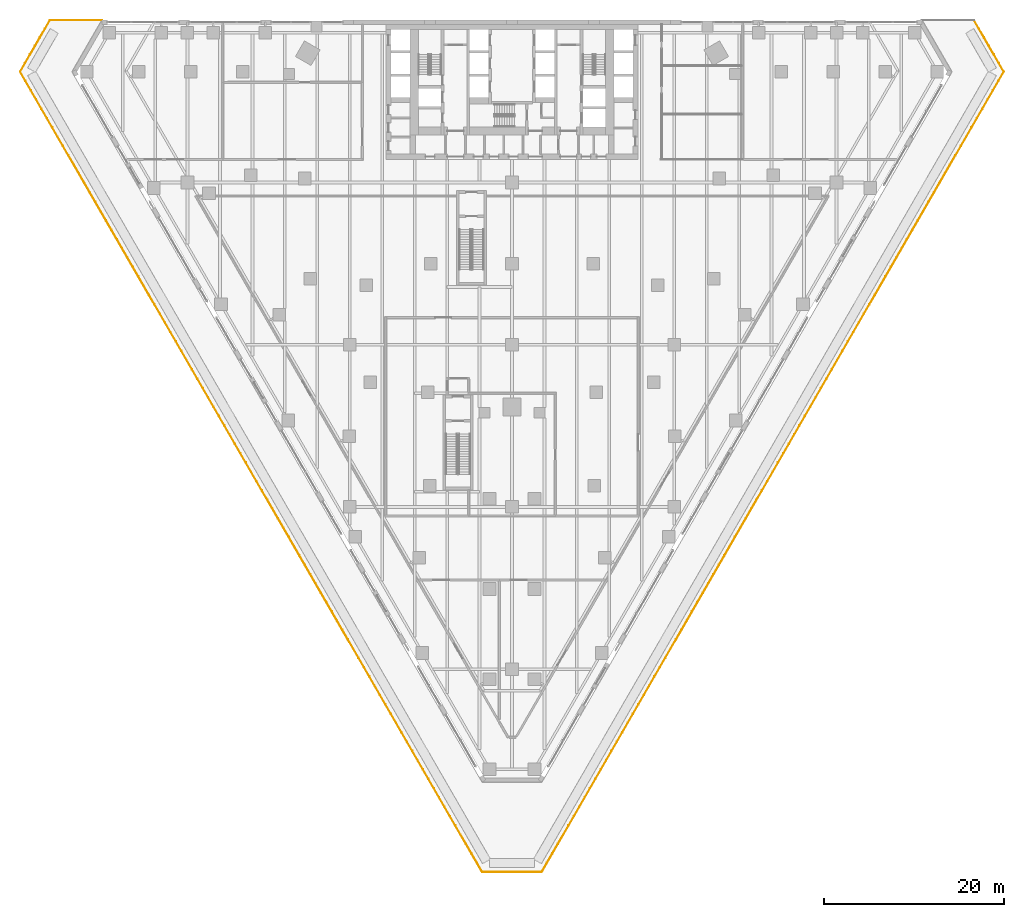
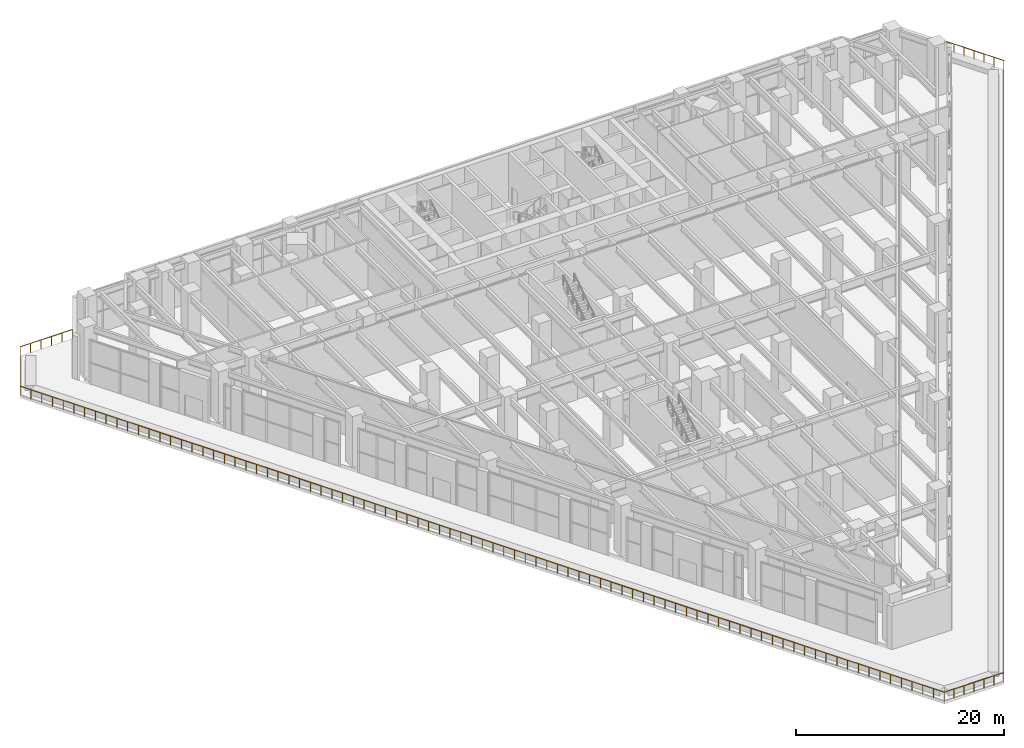
# One storey, part 36 of 40: 1 railing.
"""IFC4 building model written with IfcOpenShell, lengths in metres."""

from ifc_helpers import new_model, si_unit, direction, frame, origin, origin_2d, place, context, subcontext, project, spatial, circle, extrude, material, type_object, element, save


model = new_model("IFC4")

# Units and contexts
model_context = context("Model", 3, precision=1e-05, world=origin(), true_north=direction((0.0, 1.0)))
body_context = subcontext(model_context, "Body", "Model", "MODEL_VIEW")
ifc_project = project(units=[si_unit("LENGTHUNIT", "METRE"), si_unit("AREAUNIT", "SQUARE_METRE"), si_unit("VOLUMEUNIT", "CUBIC_METRE"), si_unit("PLANEANGLEUNIT", "RADIAN"), si_unit("MASSUNIT", "GRAM", prefix="KILO")], contexts=[model_context])

# Site, building, storey
site_placement = place(None, origin())
site = spatial("IfcSite", under=ifc_project, at=site_placement, CompositionType="ELEMENT")
building_placement = place(site_placement, origin())
building = spatial("IfcBuilding", under=site, at=building_placement, Name="Aloe Facet Convention Tower", CompositionType="ELEMENT")
storey_placement = place(building_placement, frame((0.0, 0.0, 13.5)))
storey = spatial("IfcBuildingStorey", under=building, at=storey_placement, Name="L02", CompositionType="ELEMENT", Elevation=13.5)

# Railing
ifc_material = material(Name="Steel S355, bronze oxide finish", Category="steel")
railing_type = type_object("IfcRailingType", Name="EV-GUARD-TERR", PredefinedType="GUARDRAIL", material=ifc_material)
railing_placement = place(storey_placement, frame((131.267578125, 135.0, 0.0)))
element("IfcRailing", 1, at=railing_placement, inside=storey, type_object=railing_type, Name="GUARD PT-L02-1-1", PredefinedType="GUARDRAIL", context=body_context, shape_type="SweptSolid", body=[
    extrude(circle(Radius=0.02392578125, at=origin_2d()), frame((0.0, 0.0, 1.076171875), z_axis=(0.500002094529, -0.866024194504, 0.0), x_axis=(0.866024194504, 0.500002094529, 0.0)), (0.0, 0.0, 1.0), 6.60009765625),
    extrude(circle(Radius=0.02392578125, at=origin_2d()), frame((3.300048828125, -5.7158203125, 1.076171875), z_axis=(-0.500000838411, -0.866024919727, 0.0), x_axis=(0.866024919727, -0.500000838411, 0.0)), (0.0, 0.0, 1.0), 102.534912109375),
    extrude(circle(Radius=0.02392578125, at=origin_2d()), frame((-47.967529296875, -94.513671875, 1.076171875), z_axis=(-1.0, 0.0, 0.0), x_axis=(0.0, -1.0, 0.0)), (0.0, 0.0, 1.0), 6.60009765625),
    extrude(circle(Radius=0.02392578125, at=origin_2d()), frame((-54.567626953125, -94.513671875, 1.076171875), z_axis=(-0.500000838411, 0.866024919727, 0.0), x_axis=(-0.866024919727, -0.500000838411, 0.0)), (0.0, 0.0, 1.0), 102.534912109375),
    extrude(circle(Radius=0.02392578125, at=origin_2d()), frame((-105.835205078125, -5.7158203125, 1.076171875), z_axis=(0.500002094529, 0.866024194504, 0.0), x_axis=(-0.866024194504, 0.500002094529, 0.0)), (0.0, 0.0, 1.0), 6.60009765625),
    extrude(circle(Radius=0.02392578125, at=origin_2d()), frame((-102.53515625, 0.0, 1.076171875), z_axis=(1.0, 0.0, 0.0), x_axis=(0.0, 1.0, 0.0)), (0.0, 0.0, 1.0), 5.773681640625),
    extrude(circle(Radius=0.02099609375, at=origin_2d()), origin(), (0.0, 0.0, 1.0), 1.052001953125),
    extrude(circle(Radius=0.02099609375, at=origin_2d()), frame((0.550048828125, -0.95263671875, 0.0)), (0.0, 0.0, 1.0), 1.052001953125),
    extrude(circle(Radius=0.02099609375, at=origin_2d()), frame((1.10009765625, -1.9052734375, 0.0)), (0.0, 0.0, 1.0), 1.052001953125),
    extrude(circle(Radius=0.02099609375, at=origin_2d()), frame((1.64990234375, -2.85791015625, 0.0)), (0.0, 0.0, 1.0), 1.052001953125),
    extrude(circle(Radius=0.02099609375, at=origin_2d()), frame((2.199951171875, -3.810546875, 0.0)), (0.0, 0.0, 1.0), 1.052001953125),
    extrude(circle(Radius=0.02099609375, at=origin_2d()), frame((2.75, -4.76318359375, 0.0)), (0.0, 0.0, 1.0), 1.052001953125),
    extrude(circle(Radius=0.02099609375, at=origin_2d()), frame((3.300048828125, -5.7158203125, 0.0)), (0.0, 0.0, 1.0), 1.052001953125),
    extrude(circle(Radius=0.02099609375, at=origin_2d()), frame((2.703857421875, -6.748291015625, 0.0)), (0.0, 0.0, 1.0), 1.052001953125),
    extrude(circle(Radius=0.02099609375, at=origin_2d()), frame((2.107666015625, -7.781005859375, 0.0)), (0.0, 0.0, 1.0), 1.052001953125),
    extrude(circle(Radius=0.02099609375, at=origin_2d()), frame((1.51171875, -8.8134765625, 0.0)), (0.0, 0.0, 1.0), 1.052001953125),
    extrude(circle(Radius=0.02099609375, at=origin_2d()), frame((0.91552734375, -9.845947265625, 0.0)), (0.0, 0.0, 1.0), 1.052001953125),
    extrude(circle(Radius=0.02099609375, at=origin_2d()), frame((0.3193359375, -10.87841796875, 0.0)), (0.0, 0.0, 1.0), 1.052001953125),
    extrude(circle(Radius=0.02099609375, at=origin_2d()), frame((-0.27685546875, -11.9111328125, 0.0)), (0.0, 0.0, 1.0), 1.052001953125),
    extrude(circle(Radius=0.02099609375, at=origin_2d()), frame((-0.872802734375, -12.943603515625, 0.0)), (0.0, 0.0, 1.0), 1.052001953125),
    extrude(circle(Radius=0.02099609375, at=origin_2d()), frame((-1.468994140625, -13.97607421875, 0.0)), (0.0, 0.0, 1.0), 1.052001953125),
    extrude(circle(Radius=0.02099609375, at=origin_2d()), frame((-2.065185546875, -15.008544921875, 0.0)), (0.0, 0.0, 1.0), 1.052001953125),
    extrude(circle(Radius=0.02099609375, at=origin_2d()), frame((-2.661376953125, -16.041259765625, 0.0)), (0.0, 0.0, 1.0), 1.052001953125),
    extrude(circle(Radius=0.02099609375, at=origin_2d()), frame((-3.25732421875, -17.07373046875, 0.0)), (0.0, 0.0, 1.0), 1.052001953125),
    extrude(circle(Radius=0.02099609375, at=origin_2d()), frame((-3.853515625, -18.106201171875, 0.0)), (0.0, 0.0, 1.0), 1.052001953125),
    extrude(circle(Radius=0.02099609375, at=origin_2d()), frame((-4.44970703125, -19.138671875, 0.0)), (0.0, 0.0, 1.0), 1.052001953125),
    extrude(circle(Radius=0.02099609375, at=origin_2d()), frame((-5.0458984375, -20.17138671875, 0.0)), (0.0, 0.0, 1.0), 1.052001953125),
    extrude(circle(Radius=0.02099609375, at=origin_2d()), frame((-5.64208984375, -21.203857421875, 0.0)), (0.0, 0.0, 1.0), 1.052001953125),
    extrude(circle(Radius=0.02099609375, at=origin_2d()), frame((-6.238037109375, -22.236328125, 0.0)), (0.0, 0.0, 1.0), 1.052001953125),
    extrude(circle(Radius=0.02099609375, at=origin_2d()), frame((-6.834228515625, -23.268798828125, 0.0)), (0.0, 0.0, 1.0), 1.052001953125),
    extrude(circle(Radius=0.02099609375, at=origin_2d()), frame((-7.430419921875, -24.301513671875, 0.0)), (0.0, 0.0, 1.0), 1.052001953125),
    extrude(circle(Radius=0.02099609375, at=origin_2d()), frame((-8.026611328125, -25.333984375, 0.0)), (0.0, 0.0, 1.0), 1.052001953125),
    extrude(circle(Radius=0.02099609375, at=origin_2d()), frame((-8.62255859375, -26.366455078125, 0.0)), (0.0, 0.0, 1.0), 1.052001953125),
    extrude(circle(Radius=0.02099609375, at=origin_2d()), frame((-9.21875, -27.39892578125, 0.0)), (0.0, 0.0, 1.0), 1.052001953125),
    extrude(circle(Radius=0.02099609375, at=origin_2d()), frame((-9.81494140625, -28.431640625, 0.0)), (0.0, 0.0, 1.0), 1.052001953125),
    extrude(circle(Radius=0.02099609375, at=origin_2d()), frame((-10.4111328125, -29.464111328125, 0.0)), (0.0, 0.0, 1.0), 1.052001953125),
    extrude(circle(Radius=0.02099609375, at=origin_2d()), frame((-11.007080078125, -30.49658203125, 0.0)), (0.0, 0.0, 1.0), 1.052001953125),
    extrude(circle(Radius=0.02099609375, at=origin_2d()), frame((-11.603271484375, -31.529052734375, 0.0)), (0.0, 0.0, 1.0), 1.052001953125),
    extrude(circle(Radius=0.02099609375, at=origin_2d()), frame((-12.199462890625, -32.561767578125, 0.0)), (0.0, 0.0, 1.0), 1.052001953125),
    extrude(circle(Radius=0.02099609375, at=origin_2d()), frame((-12.795654296875, -33.59423828125, 0.0)), (0.0, 0.0, 1.0), 1.052001953125),
    extrude(circle(Radius=0.02099609375, at=origin_2d()), frame((-13.3916015625, -34.626708984375, 0.0)), (0.0, 0.0, 1.0), 1.052001953125),
    extrude(circle(Radius=0.02099609375, at=origin_2d()), frame((-13.98779296875, -35.6591796875, 0.0)), (0.0, 0.0, 1.0), 1.052001953125),
    extrude(circle(Radius=0.02099609375, at=origin_2d()), frame((-14.583984375, -36.69189453125, 0.0)), (0.0, 0.0, 1.0), 1.052001953125),
    extrude(circle(Radius=0.02099609375, at=origin_2d()), frame((-15.18017578125, -37.724365234375, 0.0)), (0.0, 0.0, 1.0), 1.052001953125),
    extrude(circle(Radius=0.02099609375, at=origin_2d()), frame((-15.7763671875, -38.7568359375, 0.0)), (0.0, 0.0, 1.0), 1.052001953125),
    extrude(circle(Radius=0.02099609375, at=origin_2d()), frame((-16.372314453125, -39.789306640625, 0.0)), (0.0, 0.0, 1.0), 1.052001953125),
    extrude(circle(Radius=0.02099609375, at=origin_2d()), frame((-16.968505859375, -40.822021484375, 0.0)), (0.0, 0.0, 1.0), 1.052001953125),
    extrude(circle(Radius=0.02099609375, at=origin_2d()), frame((-17.564697265625, -41.8544921875, 0.0)), (0.0, 0.0, 1.0), 1.052001953125),
    extrude(circle(Radius=0.02099609375, at=origin_2d()), frame((-18.160888671875, -42.886962890625, 0.0)), (0.0, 0.0, 1.0), 1.052001953125),
    extrude(circle(Radius=0.02099609375, at=origin_2d()), frame((-18.7568359375, -43.91943359375, 0.0)), (0.0, 0.0, 1.0), 1.052001953125),
    extrude(circle(Radius=0.02099609375, at=origin_2d()), frame((-19.35302734375, -44.9521484375, 0.0)), (0.0, 0.0, 1.0), 1.052001953125),
    extrude(circle(Radius=0.02099609375, at=origin_2d()), frame((-19.94921875, -45.984619140625, 0.0)), (0.0, 0.0, 1.0), 1.052001953125),
    extrude(circle(Radius=0.02099609375, at=origin_2d()), frame((-20.54541015625, -47.01708984375, 0.0)), (0.0, 0.0, 1.0), 1.052001953125),
    extrude(circle(Radius=0.02099609375, at=origin_2d()), frame((-21.141357421875, -48.049560546875, 0.0)), (0.0, 0.0, 1.0), 1.052001953125),
    extrude(circle(Radius=0.02099609375, at=origin_2d()), frame((-21.737548828125, -49.082275390625, 0.0)), (0.0, 0.0, 1.0), 1.052001953125),
    extrude(circle(Radius=0.02099609375, at=origin_2d()), frame((-22.333740234375, -50.11474609375, 0.0)), (0.0, 0.0, 1.0), 1.052001953125),
    extrude(circle(Radius=0.02099609375, at=origin_2d()), frame((-22.929931640625, -51.147216796875, 0.0)), (0.0, 0.0, 1.0), 1.052001953125),
    extrude(circle(Radius=0.02099609375, at=origin_2d()), frame((-23.526123046875, -52.179931640625, 0.0)), (0.0, 0.0, 1.0), 1.052001953125),
    extrude(circle(Radius=0.02099609375, at=origin_2d()), frame((-24.1220703125, -53.21240234375, 0.0)), (0.0, 0.0, 1.0), 1.052001953125),
    extrude(circle(Radius=0.02099609375, at=origin_2d()), frame((-24.71826171875, -54.244873046875, 0.0)), (0.0, 0.0, 1.0), 1.052001953125),
    extrude(circle(Radius=0.02099609375, at=origin_2d()), frame((-25.314453125, -55.27734375, 0.0)), (0.0, 0.0, 1.0), 1.052001953125),
    extrude(circle(Radius=0.02099609375, at=origin_2d()), frame((-25.91064453125, -56.31005859375, 0.0)), (0.0, 0.0, 1.0), 1.052001953125),
    extrude(circle(Radius=0.02099609375, at=origin_2d()), frame((-26.506591796875, -57.342529296875, 0.0)), (0.0, 0.0, 1.0), 1.052001953125),
    extrude(circle(Radius=0.02099609375, at=origin_2d()), frame((-27.102783203125, -58.375, 0.0)), (0.0, 0.0, 1.0), 1.052001953125),
    extrude(circle(Radius=0.02099609375, at=origin_2d()), frame((-27.698974609375, -59.407470703125, 0.0)), (0.0, 0.0, 1.0), 1.052001953125),
    extrude(circle(Radius=0.02099609375, at=origin_2d()), frame((-28.295166015625, -60.440185546875, 0.0)), (0.0, 0.0, 1.0), 1.052001953125),
    extrude(circle(Radius=0.02099609375, at=origin_2d()), frame((-28.89111328125, -61.47265625, 0.0)), (0.0, 0.0, 1.0), 1.052001953125),
    extrude(circle(Radius=0.02099609375, at=origin_2d()), frame((-29.4873046875, -62.505126953125, 0.0)), (0.0, 0.0, 1.0), 1.052001953125),
    extrude(circle(Radius=0.02099609375, at=origin_2d()), frame((-30.08349609375, -63.53759765625, 0.0)), (0.0, 0.0, 1.0), 1.052001953125),
    extrude(circle(Radius=0.02099609375, at=origin_2d()), frame((-30.6796875, -64.5703125, 0.0)), (0.0, 0.0, 1.0), 1.052001953125),
    extrude(circle(Radius=0.02099609375, at=origin_2d()), frame((-31.27587890625, -65.602783203125, 0.0)), (0.0, 0.0, 1.0), 1.052001953125),
    extrude(circle(Radius=0.02099609375, at=origin_2d()), frame((-31.871826171875, -66.63525390625, 0.0)), (0.0, 0.0, 1.0), 1.052001953125),
    extrude(circle(Radius=0.02099609375, at=origin_2d()), frame((-32.468017578125, -67.667724609375, 0.0)), (0.0, 0.0, 1.0), 1.052001953125),
    extrude(circle(Radius=0.02099609375, at=origin_2d()), frame((-33.064208984375, -68.700439453125, 0.0)), (0.0, 0.0, 1.0), 1.052001953125),
    extrude(circle(Radius=0.02099609375, at=origin_2d()), frame((-33.660400390625, -69.73291015625, 0.0)), (0.0, 0.0, 1.0), 1.052001953125),
    extrude(circle(Radius=0.02099609375, at=origin_2d()), frame((-34.25634765625, -70.765380859375, 0.0)), (0.0, 0.0, 1.0), 1.052001953125),
    extrude(circle(Radius=0.02099609375, at=origin_2d()), frame((-34.8525390625, -71.7978515625, 0.0)), (0.0, 0.0, 1.0), 1.052001953125),
    extrude(circle(Radius=0.02099609375, at=origin_2d()), frame((-35.44873046875, -72.83056640625, 0.0)), (0.0, 0.0, 1.0), 1.052001953125),
    extrude(circle(Radius=0.02099609375, at=origin_2d()), frame((-36.044921875, -73.863037109375, 0.0)), (0.0, 0.0, 1.0), 1.052001953125),
    extrude(circle(Radius=0.02099609375, at=origin_2d()), frame((-36.640869140625, -74.8955078125, 0.0)), (0.0, 0.0, 1.0), 1.052001953125),
    extrude(circle(Radius=0.02099609375, at=origin_2d()), frame((-37.237060546875, -75.927978515625, 0.0)), (0.0, 0.0, 1.0), 1.052001953125),
    extrude(circle(Radius=0.02099609375, at=origin_2d()), frame((-37.833251953125, -76.960693359375, 0.0)), (0.0, 0.0, 1.0), 1.052001953125),
    extrude(circle(Radius=0.02099609375, at=origin_2d()), frame((-38.429443359375, -77.9931640625, 0.0)), (0.0, 0.0, 1.0), 1.052001953125),
    extrude(circle(Radius=0.02099609375, at=origin_2d()), frame((-39.025390625, -79.025634765625, 0.0)), (0.0, 0.0, 1.0), 1.052001953125),
    extrude(circle(Radius=0.02099609375, at=origin_2d()), frame((-39.62158203125, -80.05810546875, 0.0)), (0.0, 0.0, 1.0), 1.052001953125),
    extrude(circle(Radius=0.02099609375, at=origin_2d()), frame((-40.2177734375, -81.0908203125, 0.0)), (0.0, 0.0, 1.0), 1.052001953125),
    extrude(circle(Radius=0.02099609375, at=origin_2d()), frame((-40.81396484375, -82.123291015625, 0.0)), (0.0, 0.0, 1.0), 1.052001953125),
    extrude(circle(Radius=0.02099609375, at=origin_2d()), frame((-41.41015625, -83.15576171875, 0.0)), (0.0, 0.0, 1.0), 1.052001953125),
    extrude(circle(Radius=0.02099609375, at=origin_2d()), frame((-42.006103515625, -84.188232421875, 0.0)), (0.0, 0.0, 1.0), 1.052001953125),
    extrude(circle(Radius=0.02099609375, at=origin_2d()), frame((-42.602294921875, -85.220947265625, 0.0)), (0.0, 0.0, 1.0), 1.052001953125),
    extrude(circle(Radius=0.02099609375, at=origin_2d()), frame((-43.198486328125, -86.25341796875, 0.0)), (0.0, 0.0, 1.0), 1.052001953125),
    extrude(circle(Radius=0.02099609375, at=origin_2d()), frame((-43.794677734375, -87.285888671875, 0.0)), (0.0, 0.0, 1.0), 1.052001953125),
    extrude(circle(Radius=0.02099609375, at=origin_2d()), frame((-44.390625, -88.318359375, 0.0)), (0.0, 0.0, 1.0), 1.052001953125),
    extrude(circle(Radius=0.02099609375, at=origin_2d()), frame((-44.98681640625, -89.35107421875, 0.0)), (0.0, 0.0, 1.0), 1.052001953125),
    extrude(circle(Radius=0.02099609375, at=origin_2d()), frame((-45.5830078125, -90.383544921875, 0.0)), (0.0, 0.0, 1.0), 1.052001953125),
    extrude(circle(Radius=0.02099609375, at=origin_2d()), frame((-46.17919921875, -91.416015625, 0.0)), (0.0, 0.0, 1.0), 1.052001953125),
    extrude(circle(Radius=0.02099609375, at=origin_2d()), frame((-46.775146484375, -92.448486328125, 0.0)), (0.0, 0.0, 1.0), 1.052001953125),
    extrude(circle(Radius=0.02099609375, at=origin_2d()), frame((-47.371337890625, -93.481201171875, 0.0)), (0.0, 0.0, 1.0), 1.052001953125),
    extrude(circle(Radius=0.02099609375, at=origin_2d()), frame((-47.967529296875, -94.513671875, 0.0)), (0.0, 0.0, 1.0), 1.052001953125),
    extrude(circle(Radius=0.02099609375, at=origin_2d()), frame((-49.067626953125, -94.513671875, 0.0)), (0.0, 0.0, 1.0), 1.052001953125),
    extrude(circle(Radius=0.02099609375, at=origin_2d()), frame((-50.16748046875, -94.513671875, 0.0)), (0.0, 0.0, 1.0), 1.052001953125),
    extrude(circle(Radius=0.02099609375, at=origin_2d()), frame((-51.267578125, -94.513671875, 0.0)), (0.0, 0.0, 1.0), 1.052001953125),
    extrude(circle(Radius=0.02099609375, at=origin_2d()), frame((-52.36767578125, -94.513671875, 0.0)), (0.0, 0.0, 1.0), 1.052001953125),
    extrude(circle(Radius=0.02099609375, at=origin_2d()), frame((-53.467529296875, -94.513671875, 0.0)), (0.0, 0.0, 1.0), 1.052001953125),
    extrude(circle(Radius=0.02099609375, at=origin_2d()), frame((-54.567626953125, -94.513671875, 0.0)), (0.0, 0.0, 1.0), 1.052001953125),
    extrude(circle(Radius=0.02099609375, at=origin_2d()), frame((-55.163818359375, -93.481201171875, 0.0)), (0.0, 0.0, 1.0), 1.052001953125),
    extrude(circle(Radius=0.02099609375, at=origin_2d()), frame((-55.760009765625, -92.448486328125, 0.0)), (0.0, 0.0, 1.0), 1.052001953125),
    extrude(circle(Radius=0.02099609375, at=origin_2d()), frame((-56.35595703125, -91.416015625, 0.0)), (0.0, 0.0, 1.0), 1.052001953125),
    extrude(circle(Radius=0.02099609375, at=origin_2d()), frame((-56.9521484375, -90.383544921875, 0.0)), (0.0, 0.0, 1.0), 1.052001953125),
    extrude(circle(Radius=0.02099609375, at=origin_2d()), frame((-57.54833984375, -89.35107421875, 0.0)), (0.0, 0.0, 1.0), 1.052001953125),
    extrude(circle(Radius=0.02099609375, at=origin_2d()), frame((-58.14453125, -88.318359375, 0.0)), (0.0, 0.0, 1.0), 1.052001953125),
    extrude(circle(Radius=0.02099609375, at=origin_2d()), frame((-58.740478515625, -87.285888671875, 0.0)), (0.0, 0.0, 1.0), 1.052001953125),
    extrude(circle(Radius=0.02099609375, at=origin_2d()), frame((-59.336669921875, -86.25341796875, 0.0)), (0.0, 0.0, 1.0), 1.052001953125),
    extrude(circle(Radius=0.02099609375, at=origin_2d()), frame((-59.932861328125, -85.220947265625, 0.0)), (0.0, 0.0, 1.0), 1.052001953125),
    extrude(circle(Radius=0.02099609375, at=origin_2d()), frame((-60.529052734375, -84.188232421875, 0.0)), (0.0, 0.0, 1.0), 1.052001953125),
    extrude(circle(Radius=0.02099609375, at=origin_2d()), frame((-61.125, -83.15576171875, 0.0)), (0.0, 0.0, 1.0), 1.052001953125),
    extrude(circle(Radius=0.02099609375, at=origin_2d()), frame((-61.72119140625, -82.123291015625, 0.0)), (0.0, 0.0, 1.0), 1.052001953125),
    extrude(circle(Radius=0.02099609375, at=origin_2d()), frame((-62.3173828125, -81.0908203125, 0.0)), (0.0, 0.0, 1.0), 1.052001953125),
    extrude(circle(Radius=0.02099609375, at=origin_2d()), frame((-62.91357421875, -80.05810546875, 0.0)), (0.0, 0.0, 1.0), 1.052001953125),
    extrude(circle(Radius=0.02099609375, at=origin_2d()), frame((-63.509765625, -79.025634765625, 0.0)), (0.0, 0.0, 1.0), 1.052001953125),
    extrude(circle(Radius=0.02099609375, at=origin_2d()), frame((-64.105712890625, -77.9931640625, 0.0)), (0.0, 0.0, 1.0), 1.052001953125),
    extrude(circle(Radius=0.02099609375, at=origin_2d()), frame((-64.701904296875, -76.960693359375, 0.0)), (0.0, 0.0, 1.0), 1.052001953125),
    extrude(circle(Radius=0.02099609375, at=origin_2d()), frame((-65.298095703125, -75.927978515625, 0.0)), (0.0, 0.0, 1.0), 1.052001953125),
    extrude(circle(Radius=0.02099609375, at=origin_2d()), frame((-65.894287109375, -74.8955078125, 0.0)), (0.0, 0.0, 1.0), 1.052001953125),
    extrude(circle(Radius=0.02099609375, at=origin_2d()), frame((-66.490234375, -73.863037109375, 0.0)), (0.0, 0.0, 1.0), 1.052001953125),
    extrude(circle(Radius=0.02099609375, at=origin_2d()), frame((-67.08642578125, -72.83056640625, 0.0)), (0.0, 0.0, 1.0), 1.052001953125),
    extrude(circle(Radius=0.02099609375, at=origin_2d()), frame((-67.6826171875, -71.7978515625, 0.0)), (0.0, 0.0, 1.0), 1.052001953125),
    extrude(circle(Radius=0.02099609375, at=origin_2d()), frame((-68.27880859375, -70.765380859375, 0.0)), (0.0, 0.0, 1.0), 1.052001953125),
    extrude(circle(Radius=0.02099609375, at=origin_2d()), frame((-68.874755859375, -69.73291015625, 0.0)), (0.0, 0.0, 1.0), 1.052001953125),
    extrude(circle(Radius=0.02099609375, at=origin_2d()), frame((-69.470947265625, -68.700439453125, 0.0)), (0.0, 0.0, 1.0), 1.052001953125),
    extrude(circle(Radius=0.02099609375, at=origin_2d()), frame((-70.067138671875, -67.667724609375, 0.0)), (0.0, 0.0, 1.0), 1.052001953125),
    extrude(circle(Radius=0.02099609375, at=origin_2d()), frame((-70.663330078125, -66.63525390625, 0.0)), (0.0, 0.0, 1.0), 1.052001953125),
    extrude(circle(Radius=0.02099609375, at=origin_2d()), frame((-71.25927734375, -65.602783203125, 0.0)), (0.0, 0.0, 1.0), 1.052001953125),
    extrude(circle(Radius=0.02099609375, at=origin_2d()), frame((-71.85546875, -64.5703125, 0.0)), (0.0, 0.0, 1.0), 1.052001953125),
    extrude(circle(Radius=0.02099609375, at=origin_2d()), frame((-72.45166015625, -63.53759765625, 0.0)), (0.0, 0.0, 1.0), 1.052001953125),
    extrude(circle(Radius=0.02099609375, at=origin_2d()), frame((-73.0478515625, -62.505126953125, 0.0)), (0.0, 0.0, 1.0), 1.052001953125),
    extrude(circle(Radius=0.02099609375, at=origin_2d()), frame((-73.64404296875, -61.47265625, 0.0)), (0.0, 0.0, 1.0), 1.052001953125),
    extrude(circle(Radius=0.02099609375, at=origin_2d()), frame((-74.239990234375, -60.440185546875, 0.0)), (0.0, 0.0, 1.0), 1.052001953125),
    extrude(circle(Radius=0.02099609375, at=origin_2d()), frame((-74.836181640625, -59.407470703125, 0.0)), (0.0, 0.0, 1.0), 1.052001953125),
    extrude(circle(Radius=0.02099609375, at=origin_2d()), frame((-75.432373046875, -58.375, 0.0)), (0.0, 0.0, 1.0), 1.052001953125),
    extrude(circle(Radius=0.02099609375, at=origin_2d()), frame((-76.028564453125, -57.342529296875, 0.0)), (0.0, 0.0, 1.0), 1.052001953125),
    extrude(circle(Radius=0.02099609375, at=origin_2d()), frame((-76.62451171875, -56.31005859375, 0.0)), (0.0, 0.0, 1.0), 1.052001953125),
    extrude(circle(Radius=0.02099609375, at=origin_2d()), frame((-77.220703125, -55.27734375, 0.0)), (0.0, 0.0, 1.0), 1.052001953125),
    extrude(circle(Radius=0.02099609375, at=origin_2d()), frame((-77.81689453125, -54.244873046875, 0.0)), (0.0, 0.0, 1.0), 1.052001953125),
    extrude(circle(Radius=0.02099609375, at=origin_2d()), frame((-78.4130859375, -53.21240234375, 0.0)), (0.0, 0.0, 1.0), 1.052001953125),
    extrude(circle(Radius=0.02099609375, at=origin_2d()), frame((-79.009033203125, -52.179931640625, 0.0)), (0.0, 0.0, 1.0), 1.052001953125),
    extrude(circle(Radius=0.02099609375, at=origin_2d()), frame((-79.605224609375, -51.147216796875, 0.0)), (0.0, 0.0, 1.0), 1.052001953125),
    extrude(circle(Radius=0.02099609375, at=origin_2d()), frame((-80.201416015625, -50.11474609375, 0.0)), (0.0, 0.0, 1.0), 1.052001953125),
    extrude(circle(Radius=0.02099609375, at=origin_2d()), frame((-80.797607421875, -49.082275390625, 0.0)), (0.0, 0.0, 1.0), 1.052001953125),
    extrude(circle(Radius=0.02099609375, at=origin_2d()), frame((-81.393798828125, -48.049560546875, 0.0)), (0.0, 0.0, 1.0), 1.052001953125),
    extrude(circle(Radius=0.02099609375, at=origin_2d()), frame((-81.98974609375, -47.01708984375, 0.0)), (0.0, 0.0, 1.0), 1.052001953125),
    extrude(circle(Radius=0.02099609375, at=origin_2d()), frame((-82.5859375, -45.984619140625, 0.0)), (0.0, 0.0, 1.0), 1.052001953125),
    extrude(circle(Radius=0.02099609375, at=origin_2d()), frame((-83.18212890625, -44.9521484375, 0.0)), (0.0, 0.0, 1.0), 1.052001953125),
    extrude(circle(Radius=0.02099609375, at=origin_2d()), frame((-83.7783203125, -43.91943359375, 0.0)), (0.0, 0.0, 1.0), 1.052001953125),
    extrude(circle(Radius=0.02099609375, at=origin_2d()), frame((-84.374267578125, -42.886962890625, 0.0)), (0.0, 0.0, 1.0), 1.052001953125),
    extrude(circle(Radius=0.02099609375, at=origin_2d()), frame((-84.970458984375, -41.8544921875, 0.0)), (0.0, 0.0, 1.0), 1.052001953125),
    extrude(circle(Radius=0.02099609375, at=origin_2d()), frame((-85.566650390625, -40.822021484375, 0.0)), (0.0, 0.0, 1.0), 1.052001953125),
    extrude(circle(Radius=0.02099609375, at=origin_2d()), frame((-86.162841796875, -39.789306640625, 0.0)), (0.0, 0.0, 1.0), 1.052001953125),
    extrude(circle(Radius=0.02099609375, at=origin_2d()), frame((-86.7587890625, -38.7568359375, 0.0)), (0.0, 0.0, 1.0), 1.052001953125),
    extrude(circle(Radius=0.02099609375, at=origin_2d()), frame((-87.35498046875, -37.724365234375, 0.0)), (0.0, 0.0, 1.0), 1.052001953125),
    extrude(circle(Radius=0.02099609375, at=origin_2d()), frame((-87.951171875, -36.69189453125, 0.0)), (0.0, 0.0, 1.0), 1.052001953125),
    extrude(circle(Radius=0.02099609375, at=origin_2d()), frame((-88.54736328125, -35.6591796875, 0.0)), (0.0, 0.0, 1.0), 1.052001953125),
    extrude(circle(Radius=0.02099609375, at=origin_2d()), frame((-89.1435546875, -34.626708984375, 0.0)), (0.0, 0.0, 1.0), 1.052001953125),
    extrude(circle(Radius=0.02099609375, at=origin_2d()), frame((-89.739501953125, -33.59423828125, 0.0)), (0.0, 0.0, 1.0), 1.052001953125),
    extrude(circle(Radius=0.02099609375, at=origin_2d()), frame((-90.335693359375, -32.561767578125, 0.0)), (0.0, 0.0, 1.0), 1.052001953125),
    extrude(circle(Radius=0.02099609375, at=origin_2d()), frame((-90.931884765625, -31.529052734375, 0.0)), (0.0, 0.0, 1.0), 1.052001953125),
    extrude(circle(Radius=0.02099609375, at=origin_2d()), frame((-91.528076171875, -30.49658203125, 0.0)), (0.0, 0.0, 1.0), 1.052001953125),
    extrude(circle(Radius=0.02099609375, at=origin_2d()), frame((-92.1240234375, -29.464111328125, 0.0)), (0.0, 0.0, 1.0), 1.052001953125),
    extrude(circle(Radius=0.02099609375, at=origin_2d()), frame((-92.72021484375, -28.431640625, 0.0)), (0.0, 0.0, 1.0), 1.052001953125),
    extrude(circle(Radius=0.02099609375, at=origin_2d()), frame((-93.31640625, -27.39892578125, 0.0)), (0.0, 0.0, 1.0), 1.052001953125),
    extrude(circle(Radius=0.02099609375, at=origin_2d()), frame((-93.91259765625, -26.366455078125, 0.0)), (0.0, 0.0, 1.0), 1.052001953125),
    extrude(circle(Radius=0.02099609375, at=origin_2d()), frame((-94.508544921875, -25.333984375, 0.0)), (0.0, 0.0, 1.0), 1.052001953125),
    extrude(circle(Radius=0.02099609375, at=origin_2d()), frame((-95.104736328125, -24.301513671875, 0.0)), (0.0, 0.0, 1.0), 1.052001953125),
    extrude(circle(Radius=0.02099609375, at=origin_2d()), frame((-95.700927734375, -23.268798828125, 0.0)), (0.0, 0.0, 1.0), 1.052001953125),
    extrude(circle(Radius=0.02099609375, at=origin_2d()), frame((-96.297119140625, -22.236328125, 0.0)), (0.0, 0.0, 1.0), 1.052001953125),
    extrude(circle(Radius=0.02099609375, at=origin_2d()), frame((-96.89306640625, -21.203857421875, 0.0)), (0.0, 0.0, 1.0), 1.052001953125),
    extrude(circle(Radius=0.02099609375, at=origin_2d()), frame((-97.4892578125, -20.17138671875, 0.0)), (0.0, 0.0, 1.0), 1.052001953125),
    extrude(circle(Radius=0.02099609375, at=origin_2d()), frame((-98.08544921875, -19.138671875, 0.0)), (0.0, 0.0, 1.0), 1.052001953125),
    extrude(circle(Radius=0.02099609375, at=origin_2d()), frame((-98.681640625, -18.106201171875, 0.0)), (0.0, 0.0, 1.0), 1.052001953125),
    extrude(circle(Radius=0.02099609375, at=origin_2d()), frame((-99.27783203125, -17.07373046875, 0.0)), (0.0, 0.0, 1.0), 1.052001953125),
    extrude(circle(Radius=0.02099609375, at=origin_2d()), frame((-99.873779296875, -16.041259765625, 0.0)), (0.0, 0.0, 1.0), 1.052001953125),
    extrude(circle(Radius=0.02099609375, at=origin_2d()), frame((-100.469970703125, -15.008544921875, 0.0)), (0.0, 0.0, 1.0), 1.052001953125),
    extrude(circle(Radius=0.02099609375, at=origin_2d()), frame((-101.066162109375, -13.97607421875, 0.0)), (0.0, 0.0, 1.0), 1.052001953125),
    extrude(circle(Radius=0.02099609375, at=origin_2d()), frame((-101.662353515625, -12.943603515625, 0.0)), (0.0, 0.0, 1.0), 1.052001953125),
    extrude(circle(Radius=0.02099609375, at=origin_2d()), frame((-102.25830078125, -11.9111328125, 0.0)), (0.0, 0.0, 1.0), 1.052001953125),
    extrude(circle(Radius=0.02099609375, at=origin_2d()), frame((-102.8544921875, -10.87841796875, 0.0)), (0.0, 0.0, 1.0), 1.052001953125),
    extrude(circle(Radius=0.02099609375, at=origin_2d()), frame((-103.45068359375, -9.845947265625, 0.0)), (0.0, 0.0, 1.0), 1.052001953125),
    extrude(circle(Radius=0.02099609375, at=origin_2d()), frame((-104.046875, -8.8134765625, 0.0)), (0.0, 0.0, 1.0), 1.052001953125),
    extrude(circle(Radius=0.02099609375, at=origin_2d()), frame((-104.642822265625, -7.781005859375, 0.0)), (0.0, 0.0, 1.0), 1.052001953125),
    extrude(circle(Radius=0.02099609375, at=origin_2d()), frame((-105.239013671875, -6.748291015625, 0.0)), (0.0, 0.0, 1.0), 1.052001953125),
    extrude(circle(Radius=0.02099609375, at=origin_2d()), frame((-105.835205078125, -5.7158203125, 0.0)), (0.0, 0.0, 1.0), 1.052001953125),
    extrude(circle(Radius=0.02099609375, at=origin_2d()), frame((-105.28515625, -4.76318359375, 0.0)), (0.0, 0.0, 1.0), 1.052001953125),
    extrude(circle(Radius=0.02099609375, at=origin_2d()), frame((-104.735107421875, -3.810546875, 0.0)), (0.0, 0.0, 1.0), 1.052001953125),
    extrude(circle(Radius=0.02099609375, at=origin_2d()), frame((-104.18505859375, -2.85791015625, 0.0)), (0.0, 0.0, 1.0), 1.052001953125),
    extrude(circle(Radius=0.02099609375, at=origin_2d()), frame((-103.63525390625, -1.9052734375, 0.0)), (0.0, 0.0, 1.0), 1.052001953125),
    extrude(circle(Radius=0.02099609375, at=origin_2d()), frame((-103.085205078125, -0.95263671875, 0.0)), (0.0, 0.0, 1.0), 1.052001953125),
    extrude(circle(Radius=0.02099609375, at=origin_2d()), frame((-102.53515625, 0.0, 0.0)), (0.0, 0.0, 1.0), 1.052001953125),
    extrude(circle(Radius=0.02099609375, at=origin_2d()), frame((-101.38037109375, 0.0, 0.0)), (0.0, 0.0, 1.0), 1.052001953125),
    extrude(circle(Radius=0.02099609375, at=origin_2d()), frame((-100.2255859375, 0.0, 0.0)), (0.0, 0.0, 1.0), 1.052001953125),
    extrude(circle(Radius=0.02099609375, at=origin_2d()), frame((-99.071044921875, 0.0, 0.0)), (0.0, 0.0, 1.0), 1.052001953125),
    extrude(circle(Radius=0.02099609375, at=origin_2d()), frame((-97.916259765625, 0.0, 0.0)), (0.0, 0.0, 1.0), 1.052001953125),
    extrude(circle(Radius=0.02099609375, at=origin_2d()), frame((-96.761474609375, 0.0, 0.0)), (0.0, 0.0, 1.0), 1.052001953125),
])

save(model, "model.ifc")
